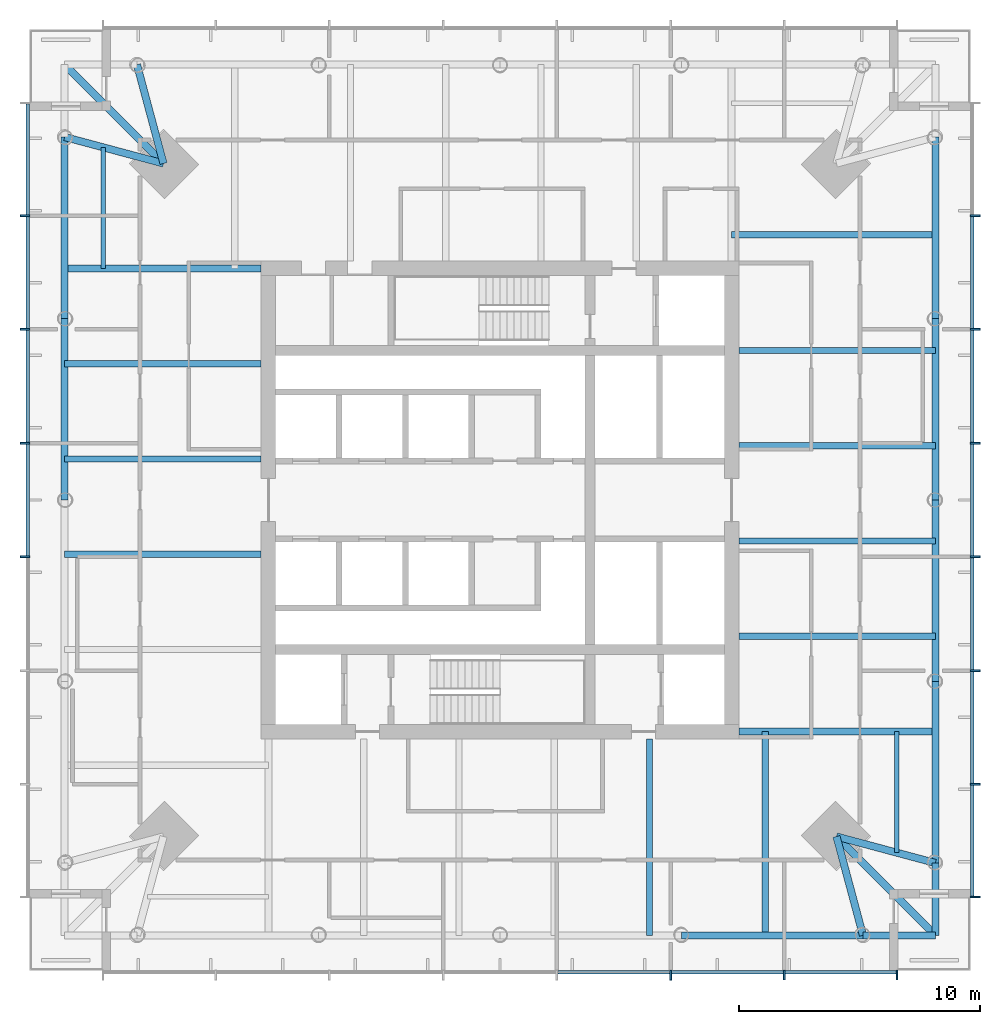
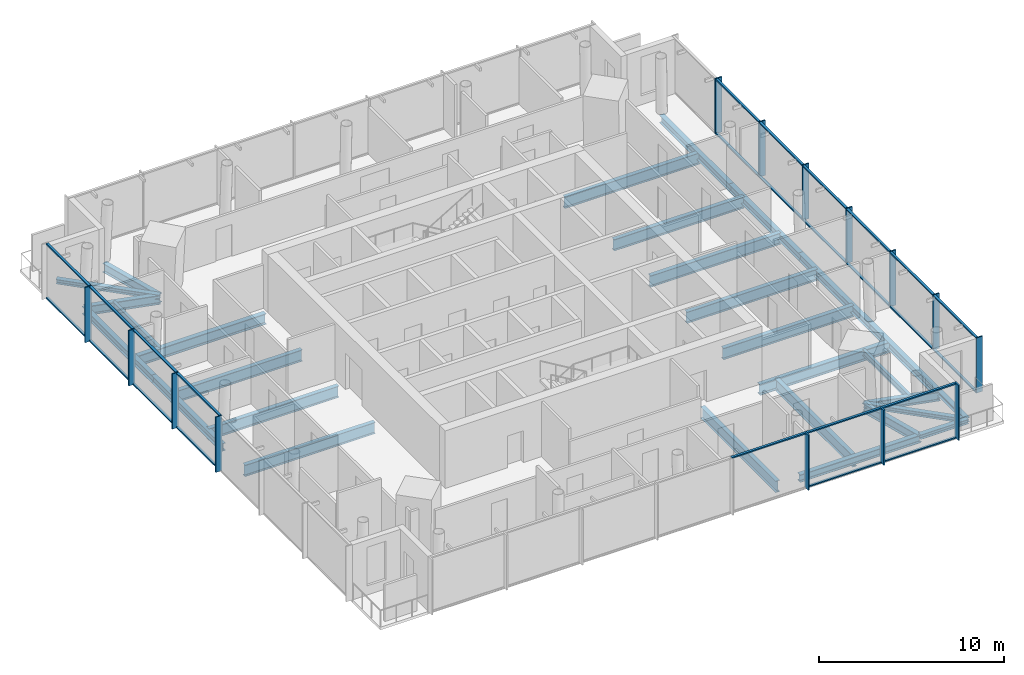
# One storey, part 2 of 9: 39 members, 29 beams, 3 elements without a shape of their own.
"""IFC4 building model written with IfcOpenShell, lengths in metres."""

from ifc_helpers import new_model, si_unit, direction, frame, origin, origin_2d, place, context, subcontext, project, spatial, rectangle, i_section, extrude, material, material_profile, profile_set, type_object, element, aggregate, save


model = new_model("IFC4")

# Units and contexts
model_context = context("Model", 3, precision=1e-05, world=origin(), true_north=direction((0.0, 1.0)))
body_context = subcontext(model_context, "Body", "Model", "MODEL_VIEW")
ifc_project = project(units=[si_unit("LENGTHUNIT", "METRE"), si_unit("AREAUNIT", "SQUARE_METRE"), si_unit("VOLUMEUNIT", "CUBIC_METRE"), si_unit("PLANEANGLEUNIT", "RADIAN"), si_unit("MASSUNIT", "GRAM", prefix="KILO")], contexts=[model_context])

# Site, building, storey
site_placement = place(None, origin())
site = spatial("IfcSite", under=ifc_project, at=site_placement, CompositionType="ELEMENT")
building_placement = place(site_placement, origin())
building = spatial("IfcBuilding", under=site, at=building_placement, Name="Ostroluk Exchange", CompositionType="ELEMENT")
storey_placement = place(building_placement, frame((0.0, 0.0, 207.199951171875)))
storey = spatial("IfcBuildingStorey", under=building, at=storey_placement, Name="L53", CompositionType="ELEMENT", Elevation=207.199951171875)

# Beams
ifc_material_1 = material(Name="Steel S355", Category="steel")
ifc_material_profile_1 = material_profile(ifc_material_1, i_section(OverallWidth=0.300048828125, OverallDepth=0.300048828125, WebThickness=0.010986328125, FlangeThickness=0.01904296875, FilletRadius=0.027099609375, at=origin_2d()), Name="HEB 300")
ifc_profile_set_1 = profile_set([ifc_material_profile_1], Name="Steel S355")
beam_type_1 = type_object("IfcBeamType", Name="Balcony beam HEB 300", PredefinedType="BEAM", material=ifc_profile_set_1)
beam_1_placement = place(storey_placement, frame((31.050048828125, 59.949951171875, -0.329833984375), z_axis=(-0.707106781187, 0.707106781187, 0.0), x_axis=(-0.707106781187, -0.707106781187, 0.0)))
element("IfcBeam", 1, at=beam_1_placement, inside=storey, type_object=beam_type_1, Name="T1 north balcony beam c", PredefinedType="BEAM", context=body_context, shape_type="SweptSolid", body=[
    extrude(i_section(OverallWidth=0.300048828125, OverallDepth=0.300048828125, WebThickness=0.010986328125, FlangeThickness=0.01904296875, FilletRadius=0.027099609375, at=origin_2d()), origin(), (0.0, 0.0, 1.0), 5.79833984375),
])
for number, where, z_axis, x_axis, name in (
    (2, (60.050048828125, 27.949951171875, -0.329833984375), (1.0, 0.0, 0.0), (0.0, 1.0, 0.0), "T1 south balcony beam a"),
    (3, (63.050048828125, 30.949951171875, -0.329833984375), (0.0, -1.0, 0.0), (1.0, 0.0, 0.0), "T1 south balcony beam b"),
):
    element("IfcBeam", number, at=place(storey_placement, frame(where, z_axis=z_axis, x_axis=x_axis)), inside=storey, type_object=beam_type_1, Name=name, PredefinedType="BEAM", context=body_context, shape_type="SweptSolid", body=[
        extrude(i_section(OverallWidth=0.300048828125, OverallDepth=0.300048828125, WebThickness=0.010986328125, FlangeThickness=0.01904296875, FilletRadius=0.027099609375, at=origin_2d()), origin(), (0.0, 0.0, 1.0), 3.0),
    ])
beam_2_placement = place(storey_placement, frame((58.949951171875, 32.050048828125, -0.329833984375), z_axis=(0.707106781187, -0.707106781187, 0.0), x_axis=(0.707106781187, 0.707106781187, 0.0)))
element("IfcBeam", 4, at=beam_2_placement, inside=storey, type_object=beam_type_1, Name="T1 south balcony beam c", PredefinedType="BEAM", context=body_context, shape_type="SweptSolid", body=[
    extrude(i_section(OverallWidth=0.300048828125, OverallDepth=0.300048828125, WebThickness=0.010986328125, FlangeThickness=0.01904296875, FilletRadius=0.027099609375, at=origin_2d()), origin(), (0.0, 0.0, 1.0), 5.79833984375),
])
ifc_material_2 = material(Name="Steel S355", Category="steel")
ifc_material_profile_2 = material_profile(ifc_material_2, i_section(OverallWidth=0.300048828125, OverallDepth=0.60009765625, WebThickness=0.015380859375, FlangeThickness=0.030029296875, FilletRadius=0.027099609375, at=origin_2d()), Name="HEB 600")
ifc_profile_set_2 = profile_set([ifc_material_profile_2], Name="Steel S355")
beam_type_2 = type_object("IfcBeamType", Name="Corner edge beam HEB 600", PredefinedType="SPANDREL", material=ifc_profile_set_2)
for number, where, z_axis, x_axis, name in (
    (5, (31.050048828125, 59.949951171875, -0.47998046875), (-0.259144268261, 0.965838624319, 0.0), (-0.965838624319, -0.259144268261, 0.0), "T1 north corner edge beam a"),
    (6, (31.050048828125, 59.949951171875, -0.47998046875), (-0.965838624319, 0.259144268261, 0.0), (-0.259144268261, -0.965838624319, 0.0), "T1 north corner edge beam b"),
    (7, (58.949951171875, 32.050048828125, -0.47998046875), (0.259144268261, -0.965838624319, 0.0), (0.965838624319, 0.259144268261, 0.0), "T1 south corner edge beam a"),
    (8, (58.949951171875, 32.050048828125, -0.47998046875), (0.965838624319, -0.259144268261, 0.0), (0.259144268261, 0.965838624319, 0.0), "T1 south corner edge beam b"),
):
    element("IfcBeam", number, at=place(storey_placement, frame(where, z_axis=z_axis, x_axis=x_axis)), inside=storey, type_object=beam_type_2, Name=name, PredefinedType="SPANDREL", context=body_context, shape_type="SweptSolid", body=[
        extrude(i_section(OverallWidth=0.300048828125, OverallDepth=0.60009765625, WebThickness=0.015380859375, FlangeThickness=0.030029296875, FilletRadius=0.027099609375, at=origin_2d()), origin(), (0.0, 0.0, 1.0), 4.2451171875),
    ])
ifc_material_3 = material(Name="Steel S355", Category="steel")
ifc_material_profile_3 = material_profile(ifc_material_3, i_section(OverallWidth=0.179931640625, OverallDepth=0.39990234375, WebThickness=0.008544921875, FlangeThickness=0.013427734375, FilletRadius=0.02099609375, at=origin_2d()), Name="IPE 400")
ifc_profile_set_3 = profile_set([ifc_material_profile_3], Name="Steel S355")
beam_type_3 = type_object("IfcBeamType", Name="Floor beam IPE 400", PredefinedType="BEAM", material=ifc_profile_set_3)
for number, where, z_axis, x_axis, name in (
    (9, (28.550048828125, 55.60009765625, -0.3798828125), (0.0, 1.0, 0.0), (-1.0, 0.0, 0.0), "T1 north floor beam 6"),
    (10, (61.449951171875, 36.39990234375, -0.3798828125), (0.0, -1.0, 0.0), (1.0, 0.0, 0.0), "T1 south floor beam 6"),
):
    element("IfcBeam", number, at=place(storey_placement, frame(where, z_axis=z_axis, x_axis=x_axis)), inside=storey, type_object=beam_type_3, Name=name, PredefinedType="BEAM", context=body_context, shape_type="SweptSolid", body=[
        extrude(i_section(OverallWidth=0.179931640625, OverallDepth=0.39990234375, WebThickness=0.008544921875, FlangeThickness=0.013427734375, FilletRadius=0.02099609375, at=origin_2d()), origin(), (0.0, 0.0, 1.0), 5.020751953125),
    ])
ifc_material_4 = material(Name="Steel S355", Category="steel")
ifc_material_profile_4 = material_profile(ifc_material_4, i_section(OverallWidth=0.264892578125, OverallDepth=0.7529296875, WebThickness=0.01318359375, FlangeThickness=0.01708984375, FilletRadius=0.01708984375, at=origin_2d()), Name="IPE 750x147")
ifc_profile_set_4 = profile_set([ifc_material_profile_4], Name="Steel S355")
beam_type_4 = type_object("IfcBeamType", Name="Floor beam IPE 750x147", PredefinedType="BEAM", material=ifc_profile_set_4)
for number, where, z_axis, x_axis, name in (
    (11, (54.89990234375, 40.35009765625, -0.556396484375), (1.0, 0.0, 0.0), (0.0, 1.0, 0.0), "T1 east floor beam 1"),
    (12, (54.89990234375, 44.300048828125, -0.556396484375), (1.0, 0.0, 0.0), (0.0, 1.0, 0.0), "T1 east floor beam 2"),
    (13, (54.89990234375, 48.25, -0.556396484375), (1.0, 0.0, 0.0), (0.0, 1.0, 0.0), "T1 east floor beam 3"),
    (14, (54.89990234375, 52.199951171875, -0.556396484375), (1.0, 0.0, 0.0), (0.0, 1.0, 0.0), "T1 east floor beam 4"),
):
    element("IfcBeam", number, at=place(storey_placement, frame(where, z_axis=z_axis, x_axis=x_axis)), inside=storey, type_object=beam_type_4, Name=name, PredefinedType="BEAM", context=body_context, shape_type="SweptSolid", body=[
        extrude(i_section(OverallWidth=0.264892578125, OverallDepth=0.7529296875, WebThickness=0.01318359375, FlangeThickness=0.01708984375, FilletRadius=0.01708984375, at=origin_2d()), origin(), (0.0, 0.0, 1.0), 8.150146484375),
    ])
beam_3_placement = place(storey_placement, frame((54.60009765625, 57.0, -0.556396484375), z_axis=(1.0, 0.0, 0.0), x_axis=(0.0, 1.0, 0.0)))
element("IfcBeam", 15, at=beam_3_placement, inside=storey, type_object=beam_type_4, Name="T1 east floor beam 5", PredefinedType="BEAM", context=body_context, shape_type="SweptSolid", body=[
    extrude(i_section(OverallWidth=0.264892578125, OverallDepth=0.7529296875, WebThickness=0.01318359375, FlangeThickness=0.01708984375, FilletRadius=0.01708984375, at=origin_2d()), origin(), (0.0, 0.0, 1.0), 8.449951171875),
])
for number, where, z_axis, x_axis, name in (
    (16, (35.10009765625, 51.64990234375, -0.556396484375), (-1.0, 0.0, 0.0), (0.0, -1.0, 0.0), "T1 west floor beam 1"),
    (17, (35.10009765625, 47.699951171875, -0.556396484375), (-1.0, 0.0, 0.0), (0.0, -1.0, 0.0), "T1 west floor beam 2"),
    (18, (35.10009765625, 43.75, -0.556396484375), (-1.0, 0.0, 0.0), (0.0, -1.0, 0.0), "T1 west floor beam 3"),
    (19, (51.199951171875, 36.10009765625, -0.556396484375), (0.0, -1.0, 0.0), (1.0, 0.0, 0.0), "T1 south floor beam 4"),
):
    element("IfcBeam", number, at=place(storey_placement, frame(where, z_axis=z_axis, x_axis=x_axis)), inside=storey, type_object=beam_type_4, Name=name, PredefinedType="BEAM", context=body_context, shape_type="SweptSolid", body=[
        extrude(i_section(OverallWidth=0.264892578125, OverallDepth=0.7529296875, WebThickness=0.01318359375, FlangeThickness=0.01708984375, FilletRadius=0.01708984375, at=origin_2d()), origin(), (0.0, 0.0, 1.0), 8.150146484375),
    ])
beam_4_placement = place(storey_placement, frame((56.0, 36.39990234375, -0.556396484375), z_axis=(0.0, -1.0, 0.0), x_axis=(1.0, 0.0, 0.0)))
element("IfcBeam", 20, at=beam_4_placement, inside=storey, type_object=beam_type_4, Name="T1 south floor beam 5", PredefinedType="BEAM", context=body_context, shape_type="SweptSolid", body=[
    extrude(i_section(OverallWidth=0.264892578125, OverallDepth=0.7529296875, WebThickness=0.01318359375, FlangeThickness=0.01708984375, FilletRadius=0.01708984375, at=origin_2d()), origin(), (0.0, 0.0, 1.0), 8.449951171875),
])
ifc_material_5 = material(Name="Steel S355", Category="steel")
ifc_material_profile_5 = material_profile(ifc_material_5, i_section(OverallWidth=0.300048828125, OverallDepth=0.699951171875, WebThickness=0.01708984375, FlangeThickness=0.031982421875, FilletRadius=0.027099609375, at=origin_2d()), Name="HEB 700")
ifc_profile_set_5 = profile_set([ifc_material_profile_5], Name="Steel S355")
beam_type_5 = type_object("IfcBeamType", Name="Girder HEB 700", PredefinedType="BEAM", material=ifc_profile_set_5)
for number, where, z_axis, x_axis, name in (
    (21, (35.10009765625, 55.60009765625, -0.530029296875), (-1.0, 0.0, 0.0), (0.0, -1.0, 0.0), "T1 north girder"),
    (22, (54.89990234375, 36.39990234375, -0.530029296875), (1.0, 0.0, 0.0), (0.0, 1.0, 0.0), "T1 south girder"),
):
    element("IfcBeam", number, at=place(storey_placement, frame(where, z_axis=z_axis, x_axis=x_axis)), inside=storey, type_object=beam_type_5, Name=name, PredefinedType="BEAM", context=body_context, shape_type="SweptSolid", body=[
        extrude(i_section(OverallWidth=0.300048828125, OverallDepth=0.699951171875, WebThickness=0.01708984375, FlangeThickness=0.031982421875, FilletRadius=0.027099609375, at=origin_2d()), origin(), (0.0, 0.0, 1.0), 8.150146484375),
    ])
ifc_material_6 = material(Name="Steel S355", Category="steel")
ifc_material_profile_6 = material_profile(ifc_material_6, i_section(OverallWidth=0.300048828125, OverallDepth=0.5, WebThickness=0.014404296875, FlangeThickness=0.028076171875, FilletRadius=0.027099609375, at=origin_2d()), Name="HEB 500")
ifc_profile_set_6 = profile_set([ifc_material_profile_6], Name="Steel S355")
beam_type_6 = type_object("IfcBeamType", Name="Moment-connected edge beam HEB 500", PredefinedType="SPANDREL", material=ifc_profile_set_6)
beam_5_placement = place(storey_placement, frame((63.050048828125, 30.949951171875, -0.429931640625), z_axis=(0.0, 1.0, 0.0), x_axis=(-1.0, 0.0, 0.0)))
element("IfcBeam", 23, at=beam_5_placement, inside=storey, type_object=beam_type_6, Name="T1 east edge beam 1", PredefinedType="SPANDREL", context=body_context, shape_type="SweptSolid", body=[
    extrude(i_section(OverallWidth=0.300048828125, OverallDepth=0.5, WebThickness=0.014404296875, FlangeThickness=0.028076171875, FilletRadius=0.027099609375, at=origin_2d()), origin(), (0.0, 0.0, 1.0), 7.525146484375),
])
for number, where, z_axis, x_axis, name in (
    (24, (63.050048828125, 38.47509765625, -0.429931640625), (0.0, 1.0, 0.0), (-1.0, 0.0, 0.0), "T1 east edge beam 2"),
    (25, (63.050048828125, 46.0, -0.429931640625), (0.0, 1.0, 0.0), (-1.0, 0.0, 0.0), "T1 east edge beam 3"),
):
    element("IfcBeam", number, at=place(storey_placement, frame(where, z_axis=z_axis, x_axis=x_axis)), inside=storey, type_object=beam_type_6, Name=name, PredefinedType="SPANDREL", context=body_context, shape_type="SweptSolid", body=[
        extrude(i_section(OverallWidth=0.300048828125, OverallDepth=0.5, WebThickness=0.014404296875, FlangeThickness=0.028076171875, FilletRadius=0.027099609375, at=origin_2d()), origin(), (0.0, 0.0, 1.0), 7.52490234375),
    ])
for number, where, z_axis, x_axis, name in (
    (26, (63.050048828125, 53.52490234375, -0.429931640625), (0.0, 1.0, 0.0), (-1.0, 0.0, 0.0), "T1 east edge beam 4"),
    (27, (26.949951171875, 61.050048828125, -0.429931640625), (0.0, -1.0, 0.0), (1.0, 0.0, 0.0), "T1 west edge beam 1"),
):
    element("IfcBeam", number, at=place(storey_placement, frame(where, z_axis=z_axis, x_axis=x_axis)), inside=storey, type_object=beam_type_6, Name=name, PredefinedType="SPANDREL", context=body_context, shape_type="SweptSolid", body=[
        extrude(i_section(OverallWidth=0.300048828125, OverallDepth=0.5, WebThickness=0.014404296875, FlangeThickness=0.028076171875, FilletRadius=0.027099609375, at=origin_2d()), origin(), (0.0, 0.0, 1.0), 7.525146484375),
    ])
beam_6_placement = place(storey_placement, frame((26.949951171875, 53.52490234375, -0.429931640625), z_axis=(0.0, -1.0, 0.0), x_axis=(1.0, 0.0, 0.0)))
element("IfcBeam", 28, at=beam_6_placement, inside=storey, type_object=beam_type_6, Name="T1 west edge beam 2", PredefinedType="SPANDREL", context=body_context, shape_type="SweptSolid", body=[
    extrude(i_section(OverallWidth=0.300048828125, OverallDepth=0.5, WebThickness=0.014404296875, FlangeThickness=0.028076171875, FilletRadius=0.027099609375, at=origin_2d()), origin(), (0.0, 0.0, 1.0), 7.52490234375),
])
beam_7_placement = place(storey_placement, frame((52.52490234375, 27.949951171875, -0.429931640625), z_axis=(1.0, 0.0, 0.0), x_axis=(0.0, 1.0, 0.0)))
element("IfcBeam", 29, at=beam_7_placement, inside=storey, type_object=beam_type_6, Name="T1 south edge beam 4", PredefinedType="SPANDREL", context=body_context, shape_type="SweptSolid", body=[
    extrude(i_section(OverallWidth=0.300048828125, OverallDepth=0.5, WebThickness=0.014404296875, FlangeThickness=0.028076171875, FilletRadius=0.027099609375, at=origin_2d()), origin(), (0.0, 0.0, 1.0), 7.525146484375),
])

# Curtain wall, members
ifc_material_7 = material(Name="Laminated clear glass", Category="glass")
curtain_wall_type = type_object("IfcCurtainWallType", Name="Office tower facade", PredefinedType="USERDEFINED", material=ifc_material_7)
curtain_wall_1_placement = place(storey_placement, origin())
curtain_wall_1 = element("IfcCurtainWall", 30, at=curtain_wall_1_placement, inside=storey, type_object=curtain_wall_type, Name="Office tower south facade L53", ObjectType="UNITISED CURTAIN WALL", PredefinedType="USERDEFINED")
ifc_material_8 = material(Name="Aluminium mullion", Category="aluminium")
ifc_material_profile_7 = material_profile(ifc_material_8, rectangle(XDim=0.14990234375, YDim=0.080078125, at=origin_2d()), Name="Sill transom 80 x 150")
ifc_profile_set_7 = profile_set([ifc_material_profile_7], Name="Aluminium mullion")
member_type_1 = type_object("IfcMemberType", Name="Sill transom 80 x 150", PredefinedType="USERDEFINED", material=ifc_profile_set_7)
member_1_placement = place(storey_placement, frame((47.397216796875, 26.425048828125, 3.610107421875), z_axis=(1.0, 0.0, 0.0), x_axis=(0.0, 1.0, 0.0)))
member_1 = element("IfcMember", 31, at=member_1_placement, type_object=member_type_1, Name="CW-O1 transom 5.2", ObjectType="TRANSOM", PredefinedType="USERDEFINED", context=body_context, shape_type="SweptSolid", body=[
    extrude(rectangle(XDim=0.14990234375, YDim=0.080078125, at=origin_2d()), origin(), (0.0, 0.0, 1.0), 4.63427734375),
])
member_2_placement = place(storey_placement, frame((52.111328125, 26.425048828125, 0.0400390625), z_axis=(1.0, 0.0, 0.0), x_axis=(0.0, 1.0, 0.0)))
member_2 = element("IfcMember", 32, at=member_2_placement, type_object=member_type_1, Name="CW-O1 transom 6.1", ObjectType="TRANSOM", PredefinedType="USERDEFINED", context=body_context, shape_type="SweptSolid", body=[
    extrude(rectangle(XDim=0.14990234375, YDim=0.080078125, at=origin_2d()), origin(), (0.0, 0.0, 1.0), 4.63427734375),
])
member_3_placement = place(storey_placement, frame((52.111328125, 26.425048828125, 3.610107421875), z_axis=(1.0, 0.0, 0.0), x_axis=(0.0, 1.0, 0.0)))
member_3 = element("IfcMember", 33, at=member_3_placement, type_object=member_type_1, Name="CW-O1 transom 6.2", ObjectType="TRANSOM", PredefinedType="USERDEFINED", context=body_context, shape_type="SweptSolid", body=[
    extrude(rectangle(XDim=0.14990234375, YDim=0.080078125, at=origin_2d()), origin(), (0.0, 0.0, 1.0), 4.63427734375),
])
member_4_placement = place(storey_placement, frame((56.82568359375, 26.425048828125, 0.0400390625), z_axis=(1.0, 0.0, 0.0), x_axis=(0.0, 1.0, 0.0)))
member_4 = element("IfcMember", 34, at=member_4_placement, type_object=member_type_1, Name="CW-O1 transom 7.1", ObjectType="TRANSOM", PredefinedType="USERDEFINED", context=body_context, shape_type="SweptSolid", body=[
    extrude(rectangle(XDim=0.14990234375, YDim=0.080078125, at=origin_2d()), origin(), (0.0, 0.0, 1.0), 4.59423828125),
])
member_5_placement = place(storey_placement, frame((56.82568359375, 26.425048828125, 3.610107421875), z_axis=(1.0, 0.0, 0.0), x_axis=(0.0, 1.0, 0.0)))
member_5 = element("IfcMember", 35, at=member_5_placement, type_object=member_type_1, Name="CW-O1 transom 7.2", ObjectType="TRANSOM", PredefinedType="USERDEFINED", context=body_context, shape_type="SweptSolid", body=[
    extrude(rectangle(XDim=0.14990234375, YDim=0.080078125, at=origin_2d()), origin(), (0.0, 0.0, 1.0), 4.59423828125),
])

curtain_wall_2_placement = place(storey_placement, origin())
curtain_wall_2 = element("IfcCurtainWall", 36, at=curtain_wall_2_placement, inside=storey, type_object=curtain_wall_type, Name="Office tower east facade L53", ObjectType="UNITISED CURTAIN WALL", PredefinedType="USERDEFINED")
member_6_placement = place(storey_placement, frame((64.574951171875, 29.580078125, 0.0400390625), z_axis=(0.0, 1.0, 0.0), x_axis=(-1.0, 0.0, 0.0)))
member_6 = element("IfcMember", 37, at=member_6_placement, type_object=member_type_1, Name="CW-O1 transom 1.1", ObjectType="TRANSOM", PredefinedType="USERDEFINED", context=body_context, shape_type="SweptSolid", body=[
    extrude(rectangle(XDim=0.14990234375, YDim=0.080078125, at=origin_2d()), origin(), (0.0, 0.0, 1.0), 4.59423828125),
])
member_7_placement = place(storey_placement, frame((64.574951171875, 29.580078125, 3.610107421875), z_axis=(0.0, 1.0, 0.0), x_axis=(-1.0, 0.0, 0.0)))
member_7 = element("IfcMember", 38, at=member_7_placement, type_object=member_type_1, Name="CW-O1 transom 1.2", ObjectType="TRANSOM", PredefinedType="USERDEFINED", context=body_context, shape_type="SweptSolid", body=[
    extrude(rectangle(XDim=0.14990234375, YDim=0.080078125, at=origin_2d()), origin(), (0.0, 0.0, 1.0), 4.59423828125),
])
member_8_placement = place(storey_placement, frame((64.574951171875, 34.25439453125, 0.0400390625), z_axis=(0.0, 1.0, 0.0), x_axis=(-1.0, 0.0, 0.0)))
member_8 = element("IfcMember", 39, at=member_8_placement, type_object=member_type_1, Name="CW-O1 transom 2.1", ObjectType="TRANSOM", PredefinedType="USERDEFINED", context=body_context, shape_type="SweptSolid", body=[
    extrude(rectangle(XDim=0.14990234375, YDim=0.080078125, at=origin_2d()), origin(), (0.0, 0.0, 1.0), 4.63427734375),
])
member_9_placement = place(storey_placement, frame((64.574951171875, 34.25439453125, 3.610107421875), z_axis=(0.0, 1.0, 0.0), x_axis=(-1.0, 0.0, 0.0)))
member_9 = element("IfcMember", 40, at=member_9_placement, type_object=member_type_1, Name="CW-O1 transom 2.2", ObjectType="TRANSOM", PredefinedType="USERDEFINED", context=body_context, shape_type="SweptSolid", body=[
    extrude(rectangle(XDim=0.14990234375, YDim=0.080078125, at=origin_2d()), origin(), (0.0, 0.0, 1.0), 4.63427734375),
])
member_10_placement = place(storey_placement, frame((64.574951171875, 38.968505859375, 0.0400390625), z_axis=(0.0, 1.0, 0.0), x_axis=(-1.0, 0.0, 0.0)))
member_10 = element("IfcMember", 41, at=member_10_placement, type_object=member_type_1, Name="CW-O1 transom 3.1", ObjectType="TRANSOM", PredefinedType="USERDEFINED", context=body_context, shape_type="SweptSolid", body=[
    extrude(rectangle(XDim=0.14990234375, YDim=0.080078125, at=origin_2d()), origin(), (0.0, 0.0, 1.0), 4.63427734375),
])
member_11_placement = place(storey_placement, frame((64.574951171875, 38.968505859375, 3.610107421875), z_axis=(0.0, 1.0, 0.0), x_axis=(-1.0, 0.0, 0.0)))
member_11 = element("IfcMember", 42, at=member_11_placement, type_object=member_type_1, Name="CW-O1 transom 3.2", ObjectType="TRANSOM", PredefinedType="USERDEFINED", context=body_context, shape_type="SweptSolid", body=[
    extrude(rectangle(XDim=0.14990234375, YDim=0.080078125, at=origin_2d()), origin(), (0.0, 0.0, 1.0), 4.63427734375),
])
member_12_placement = place(storey_placement, frame((64.574951171875, 43.682861328125, 0.0400390625), z_axis=(0.0, 1.0, 0.0), x_axis=(-1.0, 0.0, 0.0)))
member_12 = element("IfcMember", 43, at=member_12_placement, type_object=member_type_1, Name="CW-O1 transom 4.1", ObjectType="TRANSOM", PredefinedType="USERDEFINED", context=body_context, shape_type="SweptSolid", body=[
    extrude(rectangle(XDim=0.14990234375, YDim=0.080078125, at=origin_2d()), origin(), (0.0, 0.0, 1.0), 4.63427734375),
])
member_13_placement = place(storey_placement, frame((64.574951171875, 43.682861328125, 3.610107421875), z_axis=(0.0, 1.0, 0.0), x_axis=(-1.0, 0.0, 0.0)))
member_13 = element("IfcMember", 44, at=member_13_placement, type_object=member_type_1, Name="CW-O1 transom 4.2", ObjectType="TRANSOM", PredefinedType="USERDEFINED", context=body_context, shape_type="SweptSolid", body=[
    extrude(rectangle(XDim=0.14990234375, YDim=0.080078125, at=origin_2d()), origin(), (0.0, 0.0, 1.0), 4.63427734375),
])
member_14_placement = place(storey_placement, frame((64.574951171875, 48.397216796875, 0.0400390625), z_axis=(0.0, 1.0, 0.0), x_axis=(-1.0, 0.0, 0.0)))
member_14 = element("IfcMember", 45, at=member_14_placement, type_object=member_type_1, Name="CW-O1 transom 5.1", ObjectType="TRANSOM", PredefinedType="USERDEFINED", context=body_context, shape_type="SweptSolid", body=[
    extrude(rectangle(XDim=0.14990234375, YDim=0.080078125, at=origin_2d()), origin(), (0.0, 0.0, 1.0), 4.63427734375),
])
member_15_placement = place(storey_placement, frame((64.574951171875, 48.397216796875, 3.610107421875), z_axis=(0.0, 1.0, 0.0), x_axis=(-1.0, 0.0, 0.0)))
member_15 = element("IfcMember", 46, at=member_15_placement, type_object=member_type_1, Name="CW-O1 transom 5.2", ObjectType="TRANSOM", PredefinedType="USERDEFINED", context=body_context, shape_type="SweptSolid", body=[
    extrude(rectangle(XDim=0.14990234375, YDim=0.080078125, at=origin_2d()), origin(), (0.0, 0.0, 1.0), 4.63427734375),
])
member_16_placement = place(storey_placement, frame((64.574951171875, 53.111328125, 0.0400390625), z_axis=(0.0, 1.0, 0.0), x_axis=(-1.0, 0.0, 0.0)))
member_16 = element("IfcMember", 47, at=member_16_placement, type_object=member_type_1, Name="CW-O1 transom 6.1", ObjectType="TRANSOM", PredefinedType="USERDEFINED", context=body_context, shape_type="SweptSolid", body=[
    extrude(rectangle(XDim=0.14990234375, YDim=0.080078125, at=origin_2d()), origin(), (0.0, 0.0, 1.0), 4.63427734375),
])
member_17_placement = place(storey_placement, frame((64.574951171875, 53.111328125, 3.610107421875), z_axis=(0.0, 1.0, 0.0), x_axis=(-1.0, 0.0, 0.0)))
member_17 = element("IfcMember", 48, at=member_17_placement, type_object=member_type_1, Name="CW-O1 transom 6.2", ObjectType="TRANSOM", PredefinedType="USERDEFINED", context=body_context, shape_type="SweptSolid", body=[
    extrude(rectangle(XDim=0.14990234375, YDim=0.080078125, at=origin_2d()), origin(), (0.0, 0.0, 1.0), 4.63427734375),
])

curtain_wall_3_placement = place(storey_placement, origin())
curtain_wall_3 = element("IfcCurtainWall", 49, at=curtain_wall_3_placement, inside=storey, type_object=curtain_wall_type, Name="Office tower west facade L53", ObjectType="UNITISED CURTAIN WALL", PredefinedType="USERDEFINED")
member_18_placement = place(storey_placement, frame((25.425048828125, 62.419921875, 0.0400390625), z_axis=(0.0, -1.0, 0.0), x_axis=(1.0, 0.0, 0.0)))
member_18 = element("IfcMember", 50, at=member_18_placement, type_object=member_type_1, Name="CW-O1 transom 1.1", ObjectType="TRANSOM", PredefinedType="USERDEFINED", context=body_context, shape_type="SweptSolid", body=[
    extrude(rectangle(XDim=0.14990234375, YDim=0.080078125, at=origin_2d()), origin(), (0.0, 0.0, 1.0), 4.59423828125),
])
member_19_placement = place(storey_placement, frame((25.425048828125, 62.419921875, 3.610107421875), z_axis=(0.0, -1.0, 0.0), x_axis=(1.0, 0.0, 0.0)))
member_19 = element("IfcMember", 51, at=member_19_placement, type_object=member_type_1, Name="CW-O1 transom 1.2", ObjectType="TRANSOM", PredefinedType="USERDEFINED", context=body_context, shape_type="SweptSolid", body=[
    extrude(rectangle(XDim=0.14990234375, YDim=0.080078125, at=origin_2d()), origin(), (0.0, 0.0, 1.0), 4.59423828125),
])
member_20_placement = place(storey_placement, frame((25.425048828125, 57.74560546875, 0.0400390625), z_axis=(0.0, -1.0, 0.0), x_axis=(1.0, 0.0, 0.0)))
member_20 = element("IfcMember", 52, at=member_20_placement, type_object=member_type_1, Name="CW-O1 transom 2.1", ObjectType="TRANSOM", PredefinedType="USERDEFINED", context=body_context, shape_type="SweptSolid", body=[
    extrude(rectangle(XDim=0.14990234375, YDim=0.080078125, at=origin_2d()), origin(), (0.0, 0.0, 1.0), 4.63427734375),
])
member_21_placement = place(storey_placement, frame((25.425048828125, 57.74560546875, 3.610107421875), z_axis=(0.0, -1.0, 0.0), x_axis=(1.0, 0.0, 0.0)))
member_21 = element("IfcMember", 53, at=member_21_placement, type_object=member_type_1, Name="CW-O1 transom 2.2", ObjectType="TRANSOM", PredefinedType="USERDEFINED", context=body_context, shape_type="SweptSolid", body=[
    extrude(rectangle(XDim=0.14990234375, YDim=0.080078125, at=origin_2d()), origin(), (0.0, 0.0, 1.0), 4.63427734375),
])
member_22_placement = place(storey_placement, frame((25.425048828125, 53.031494140625, 0.0400390625), z_axis=(0.0, -1.0, 0.0), x_axis=(1.0, 0.0, 0.0)))
member_22 = element("IfcMember", 54, at=member_22_placement, type_object=member_type_1, Name="CW-O1 transom 3.1", ObjectType="TRANSOM", PredefinedType="USERDEFINED", context=body_context, shape_type="SweptSolid", body=[
    extrude(rectangle(XDim=0.14990234375, YDim=0.080078125, at=origin_2d()), origin(), (0.0, 0.0, 1.0), 4.63427734375),
])
member_23_placement = place(storey_placement, frame((25.425048828125, 53.031494140625, 3.610107421875), z_axis=(0.0, -1.0, 0.0), x_axis=(1.0, 0.0, 0.0)))
member_23 = element("IfcMember", 55, at=member_23_placement, type_object=member_type_1, Name="CW-O1 transom 3.2", ObjectType="TRANSOM", PredefinedType="USERDEFINED", context=body_context, shape_type="SweptSolid", body=[
    extrude(rectangle(XDim=0.14990234375, YDim=0.080078125, at=origin_2d()), origin(), (0.0, 0.0, 1.0), 4.63427734375),
])
member_24_placement = place(storey_placement, frame((25.425048828125, 48.317138671875, 0.0400390625), z_axis=(0.0, -1.0, 0.0), x_axis=(1.0, 0.0, 0.0)))
member_24 = element("IfcMember", 56, at=member_24_placement, type_object=member_type_1, Name="CW-O1 transom 4.1", ObjectType="TRANSOM", PredefinedType="USERDEFINED", context=body_context, shape_type="SweptSolid", body=[
    extrude(rectangle(XDim=0.14990234375, YDim=0.080078125, at=origin_2d()), origin(), (0.0, 0.0, 1.0), 4.63427734375),
])
member_25_placement = place(storey_placement, frame((25.425048828125, 48.317138671875, 3.610107421875), z_axis=(0.0, -1.0, 0.0), x_axis=(1.0, 0.0, 0.0)))
member_25 = element("IfcMember", 57, at=member_25_placement, type_object=member_type_1, Name="CW-O1 transom 4.2", ObjectType="TRANSOM", PredefinedType="USERDEFINED", context=body_context, shape_type="SweptSolid", body=[
    extrude(rectangle(XDim=0.14990234375, YDim=0.080078125, at=origin_2d()), origin(), (0.0, 0.0, 1.0), 4.63427734375),
])

# Member
ifc_material_9 = material(Name="Aluminium mullion with limestone facing", Category="masonry")
ifc_material_profile_8 = material_profile(ifc_material_9, rectangle(XDim=0.39990234375, YDim=0.080078125, at=origin_2d()), Name="Tracery mullion 80 x 400")
ifc_profile_set_8 = profile_set([ifc_material_profile_8], Name="Aluminium mullion with limestone facing")
member_type_2 = type_object("IfcMemberType", Name="Tracery mullion 80 x 400", PredefinedType="MULLION", material=ifc_profile_set_8)
member_26_placement = place(storey_placement, frame((52.071533203125, 26.300048828125, 0.0), z_axis=(0.0, 0.0, 1.0), x_axis=(0.0, 1.0, 0.0)))
member_26 = element("IfcMember", 58, at=member_26_placement, type_object=member_type_2, Name="CW-O1 mullion 6", PredefinedType="MULLION", context=body_context, shape_type="SweptSolid", body=[
    extrude(rectangle(XDim=0.39990234375, YDim=0.080078125, at=origin_2d()), origin(), (0.0, 0.0, 1.0), 3.650146484375),
])

member_27_placement = place(storey_placement, frame((56.78564453125, 26.300048828125, 0.0), z_axis=(0.0, 0.0, 1.0), x_axis=(0.0, 1.0, 0.0)))
member_27 = element("IfcMember", 59, at=member_27_placement, type_object=member_type_2, Name="CW-O1 mullion 7", PredefinedType="MULLION", context=body_context, shape_type="SweptSolid", body=[
    extrude(rectangle(XDim=0.39990234375, YDim=0.080078125, at=origin_2d()), origin(), (0.0, 0.0, 1.0), 3.650146484375),
])

member_28_placement = place(storey_placement, frame((61.4599609375, 26.300048828125, 0.0), z_axis=(0.0, 0.0, 1.0), x_axis=(0.0, 1.0, 0.0)))
member_28 = element("IfcMember", 60, at=member_28_placement, type_object=member_type_2, Name="CW-O1 mullion 8", PredefinedType="MULLION", context=body_context, shape_type="SweptSolid", body=[
    extrude(rectangle(XDim=0.39990234375, YDim=0.080078125, at=origin_2d()), origin(), (0.0, 0.0, 1.0), 3.650146484375),
])

aggregate(curtain_wall_1, [member_26, member_27, member_28, member_1, member_2, member_3, member_4, member_5])

member_29_placement = place(storey_placement, frame((64.699951171875, 29.5400390625, 0.0), z_axis=(0.0, 0.0, 1.0), x_axis=(-1.0, 0.0, 0.0)))
member_29 = element("IfcMember", 61, at=member_29_placement, type_object=member_type_2, Name="CW-O1 mullion 1", PredefinedType="MULLION", context=body_context, shape_type="SweptSolid", body=[
    extrude(rectangle(XDim=0.39990234375, YDim=0.080078125, at=origin_2d()), origin(), (0.0, 0.0, 1.0), 3.650146484375),
])

member_30_placement = place(storey_placement, frame((64.699951171875, 34.21435546875, 0.0), z_axis=(0.0, 0.0, 1.0), x_axis=(-1.0, 0.0, 0.0)))
member_30 = element("IfcMember", 62, at=member_30_placement, type_object=member_type_2, Name="CW-O1 mullion 2", PredefinedType="MULLION", context=body_context, shape_type="SweptSolid", body=[
    extrude(rectangle(XDim=0.39990234375, YDim=0.080078125, at=origin_2d()), origin(), (0.0, 0.0, 1.0), 3.650146484375),
])

member_31_placement = place(storey_placement, frame((64.699951171875, 38.928466796875, 0.0), z_axis=(0.0, 0.0, 1.0), x_axis=(-1.0, 0.0, 0.0)))
member_31 = element("IfcMember", 63, at=member_31_placement, type_object=member_type_2, Name="CW-O1 mullion 3", PredefinedType="MULLION", context=body_context, shape_type="SweptSolid", body=[
    extrude(rectangle(XDim=0.39990234375, YDim=0.080078125, at=origin_2d()), origin(), (0.0, 0.0, 1.0), 3.650146484375),
])

member_32_placement = place(storey_placement, frame((64.699951171875, 43.642822265625, 0.0), z_axis=(0.0, 0.0, 1.0), x_axis=(-1.0, 0.0, 0.0)))
member_32 = element("IfcMember", 64, at=member_32_placement, type_object=member_type_2, Name="CW-O1 mullion 4", PredefinedType="MULLION", context=body_context, shape_type="SweptSolid", body=[
    extrude(rectangle(XDim=0.39990234375, YDim=0.080078125, at=origin_2d()), origin(), (0.0, 0.0, 1.0), 3.650146484375),
])

member_33_placement = place(storey_placement, frame((64.699951171875, 48.357177734375, 0.0), z_axis=(0.0, 0.0, 1.0), x_axis=(-1.0, 0.0, 0.0)))
member_33 = element("IfcMember", 65, at=member_33_placement, type_object=member_type_2, Name="CW-O1 mullion 5", PredefinedType="MULLION", context=body_context, shape_type="SweptSolid", body=[
    extrude(rectangle(XDim=0.39990234375, YDim=0.080078125, at=origin_2d()), origin(), (0.0, 0.0, 1.0), 3.650146484375),
])

member_34_placement = place(storey_placement, frame((64.699951171875, 53.071533203125, 0.0), z_axis=(0.0, 0.0, 1.0), x_axis=(-1.0, 0.0, 0.0)))
member_34 = element("IfcMember", 66, at=member_34_placement, type_object=member_type_2, Name="CW-O1 mullion 6", PredefinedType="MULLION", context=body_context, shape_type="SweptSolid", body=[
    extrude(rectangle(XDim=0.39990234375, YDim=0.080078125, at=origin_2d()), origin(), (0.0, 0.0, 1.0), 3.650146484375),
])

member_35_placement = place(storey_placement, frame((64.699951171875, 57.78564453125, 0.0), z_axis=(0.0, 0.0, 1.0), x_axis=(-1.0, 0.0, 0.0)))
member_35 = element("IfcMember", 67, at=member_35_placement, type_object=member_type_2, Name="CW-O1 mullion 7", PredefinedType="MULLION", context=body_context, shape_type="SweptSolid", body=[
    extrude(rectangle(XDim=0.39990234375, YDim=0.080078125, at=origin_2d()), origin(), (0.0, 0.0, 1.0), 3.650146484375),
])

aggregate(curtain_wall_2, [member_29, member_30, member_31, member_32, member_33, member_34, member_35, member_6, member_7, member_8, member_9, member_10, member_11, member_12, member_13, member_14, member_15, member_16, member_17])

member_36_placement = place(storey_placement, frame((25.300048828125, 57.78564453125, 0.0), z_axis=(0.0, 0.0, 1.0), x_axis=(1.0, 0.0, 0.0)))
member_36 = element("IfcMember", 68, at=member_36_placement, type_object=member_type_2, Name="CW-O1 mullion 2", PredefinedType="MULLION", context=body_context, shape_type="SweptSolid", body=[
    extrude(rectangle(XDim=0.39990234375, YDim=0.080078125, at=origin_2d()), origin(), (0.0, 0.0, 1.0), 3.650146484375),
])

member_37_placement = place(storey_placement, frame((25.300048828125, 53.071533203125, 0.0), z_axis=(0.0, 0.0, 1.0), x_axis=(1.0, 0.0, 0.0)))
member_37 = element("IfcMember", 69, at=member_37_placement, type_object=member_type_2, Name="CW-O1 mullion 3", PredefinedType="MULLION", context=body_context, shape_type="SweptSolid", body=[
    extrude(rectangle(XDim=0.39990234375, YDim=0.080078125, at=origin_2d()), origin(), (0.0, 0.0, 1.0), 3.650146484375),
])

member_38_placement = place(storey_placement, frame((25.300048828125, 48.357177734375, 0.0), z_axis=(0.0, 0.0, 1.0), x_axis=(1.0, 0.0, 0.0)))
member_38 = element("IfcMember", 70, at=member_38_placement, type_object=member_type_2, Name="CW-O1 mullion 4", PredefinedType="MULLION", context=body_context, shape_type="SweptSolid", body=[
    extrude(rectangle(XDim=0.39990234375, YDim=0.080078125, at=origin_2d()), origin(), (0.0, 0.0, 1.0), 3.650146484375),
])

member_39_placement = place(storey_placement, frame((25.300048828125, 43.642822265625, 0.0), z_axis=(0.0, 0.0, 1.0), x_axis=(1.0, 0.0, 0.0)))
member_39 = element("IfcMember", 71, at=member_39_placement, type_object=member_type_2, Name="CW-O1 mullion 5", PredefinedType="MULLION", context=body_context, shape_type="SweptSolid", body=[
    extrude(rectangle(XDim=0.39990234375, YDim=0.080078125, at=origin_2d()), origin(), (0.0, 0.0, 1.0), 3.650146484375),
])

aggregate(curtain_wall_3, [member_36, member_37, member_38, member_39, member_18, member_19, member_20, member_21, member_22, member_23, member_24, member_25])

save(model, "model.ifc")
